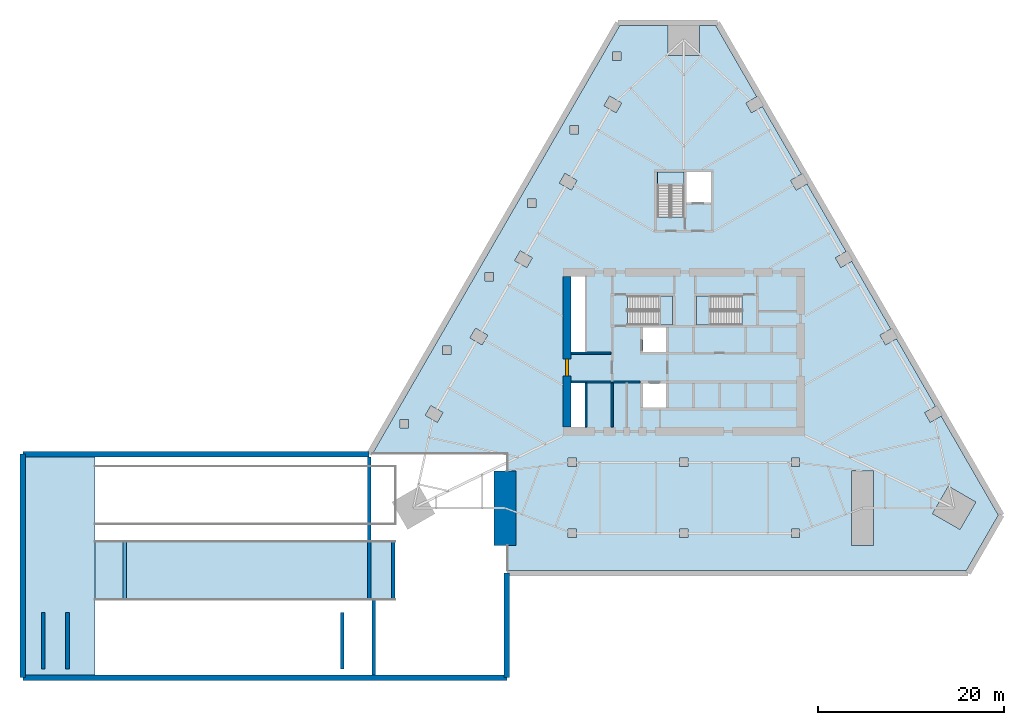
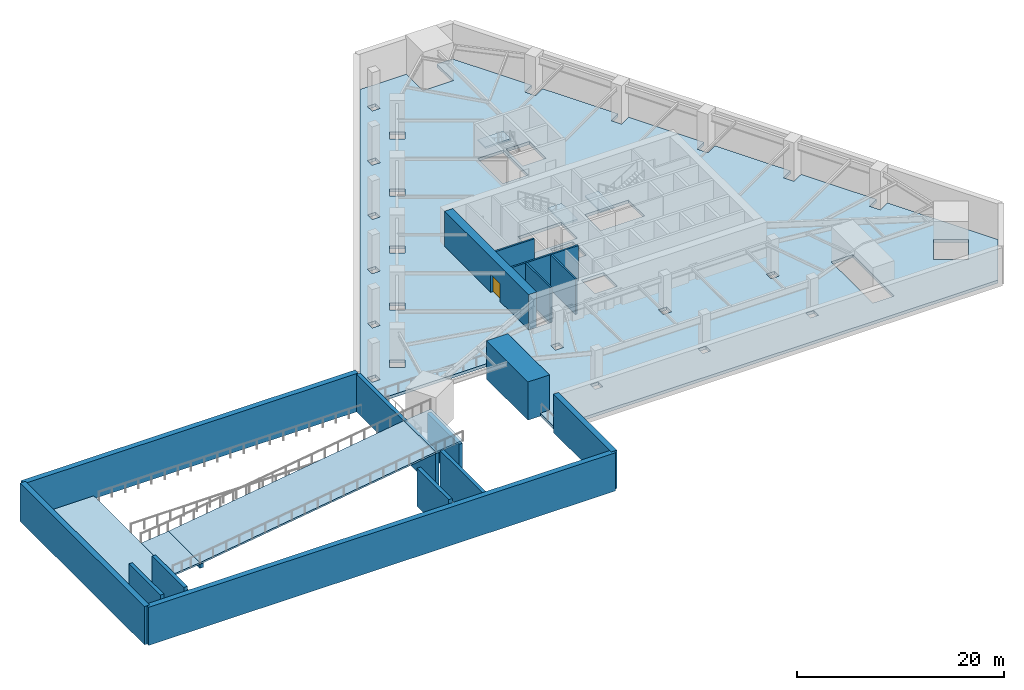
# One storey, part 2 of 7: 18 walls, 8 slabs, 1 door, 1 opening, 3 elements without a shape of their own.
"""IFC4 building model written with IfcOpenShell, lengths in metres."""

from ifc_helpers import new_model, si_unit, direction, frame, frame_2d, origin, place, context, subcontext, project, spatial, polyline, rectangle, outline, extrude, material, layer, layer_set, type_object, element, fill, aggregate, save


model = new_model("IFC4")

# Units and contexts
model_context = context("Model", 3, precision=1e-05, world=origin(), true_north=direction((0.0, 1.0)))
body_context = subcontext(model_context, "Body", "Model", "MODEL_VIEW")
ifc_project = project(units=[si_unit("LENGTHUNIT", "METRE"), si_unit("AREAUNIT", "SQUARE_METRE"), si_unit("VOLUMEUNIT", "CUBIC_METRE"), si_unit("PLANEANGLEUNIT", "RADIAN"), si_unit("MASSUNIT", "GRAM", prefix="KILO")], contexts=[model_context])

# Site, building, storey
site_placement = place(None, origin())
site = spatial("IfcSite", under=ifc_project, at=site_placement, CompositionType="ELEMENT")
building_placement = place(site_placement, origin())
building = spatial("IfcBuilding", under=site, at=building_placement, Name="Firuza Gate Tower and Library", CompositionType="ELEMENT")
storey_placement = place(building_placement, frame((0.0, 0.0, -9.5)))
storey = spatial("IfcBuildingStorey", under=building, at=storey_placement, Name="B2", CompositionType="ELEMENT", Elevation=-9.5)

# Slabs
ifc_material_1 = material(Name="Concrete C40/50", Category="concrete")
ifc_layer_1 = layer(ifc_material_1, 0.35009765625)
ifc_layer_set_1 = layer_set([ifc_layer_1], Name="Basement slab 350 C40/50")
slab_type_1 = type_object("IfcSlabType", Name="Basement slab 350 C40/50", PredefinedType="FLOOR", material=ifc_layer_set_1)
placement_1 = place(storey_placement, frame((0.0, 0.0, -0.35009765625)))
element("IfcSlab", 1, at=placement_1, inside=storey, type_object=slab_type_1, Name="Floor slab B2", PredefinedType="FLOOR", context=body_context, shape_type="SweptSolid", body=[
    extrude(outline(polyline([(68.109130859375, 110.033935546875), (41.531494140625, 64.0), (56.0, 64.0), (56.0, 62.21533203125), (57.0, 62.21533203125), (57.0, 54.21533203125), (56.0, 54.21533203125), (56.0, 51.515380859375), (105.35888671875, 51.515380859375), (108.78564453125, 57.45068359375), (102.64013671875, 68.094970703125), (101.470947265625, 67.419921875), (100.87109375, 68.459228515625), (102.040283203125, 69.13427734375), (97.840087890625, 76.408935546875), (96.671142578125, 75.73388671875), (96.071044921875, 76.773193359375), (97.240234375, 77.447998046875), (93.040283203125, 84.72265625), (91.87109375, 84.047607421875), (91.27099609375, 85.0869140625), (92.440185546875, 85.761962890625), (88.240234375, 93.03662109375), (87.071044921875, 92.361572265625), (86.470947265625, 93.40087890625), (87.64013671875, 94.07568359375), (83.440185546875, 101.350341796875), (82.27099609375, 100.67529296875), (81.671142578125, 101.714599609375), (82.840087890625, 102.3896484375), (78.4267578125, 110.033935546875), (76.699951171875, 110.033935546875), (76.699951171875, 106.833740234375), (73.300048828125, 106.833740234375), (73.300048828125, 110.033935546875), (68.109130859375, 110.033935546875)]), holes=[polyline([(62.550048828125, 55.0654296875), (62.550048828125, 55.96533203125), (63.449951171875, 55.96533203125), (63.449951171875, 55.0654296875), (62.550048828125, 55.0654296875)]), polyline([(62.550048828125, 62.665283203125), (62.550048828125, 63.5654296875), (63.449951171875, 63.5654296875), (63.449951171875, 62.665283203125), (62.550048828125, 62.665283203125)]), polyline([(44.5302734375, 66.82373046875), (44.5302734375, 67.7236328125), (45.430419921875, 67.7236328125), (45.430419921875, 66.82373046875), (44.5302734375, 66.82373046875)]), polyline([(49.12890625, 68.459228515625), (48.529052734375, 67.419921875), (47.22998046875, 68.169921875), (47.829833984375, 69.209228515625), (49.12890625, 68.459228515625)]), polyline([(62.89990234375, 66.89990234375), (62.89990234375, 71.64990234375), (64.39990234375, 71.64990234375), (64.39990234375, 66.89990234375), (62.89990234375, 66.89990234375)]), polyline([(49.08984375, 74.720947265625), (49.08984375, 75.620849609375), (49.98974609375, 75.620849609375), (49.98974609375, 74.720947265625), (49.08984375, 74.720947265625)]), polyline([(52.6298828125, 77.523193359375), (53.928955078125, 76.773193359375), (53.328857421875, 75.73388671875), (52.02978515625, 76.48388671875), (52.6298828125, 77.523193359375)]), polyline([(64.39990234375, 74.949951171875), (62.89990234375, 74.949951171875), (62.89990234375, 83.10009765625), (64.39990234375, 83.10009765625), (64.39990234375, 74.949951171875)]), polyline([(53.6494140625, 82.6181640625), (53.6494140625, 83.518310546875), (54.54931640625, 83.518310546875), (54.54931640625, 82.6181640625), (53.6494140625, 82.6181640625)]), polyline([(57.429931640625, 85.8369140625), (58.72900390625, 85.0869140625), (58.12890625, 84.047607421875), (56.829833984375, 84.797607421875), (57.429931640625, 85.8369140625)]), polyline([(58.208984375, 90.515625), (58.208984375, 91.41552734375), (59.10888671875, 91.41552734375), (59.10888671875, 90.515625), (58.208984375, 90.515625)]), polyline([(62.22998046875, 94.15087890625), (63.529052734375, 93.40087890625), (62.928955078125, 92.361572265625), (61.6298828125, 93.111572265625), (62.22998046875, 94.15087890625)]), polyline([(62.768310546875, 99.31298828125), (63.66845703125, 99.31298828125), (63.66845703125, 98.412841796875), (62.768310546875, 98.412841796875), (62.768310546875, 99.31298828125)]), polyline([(68.328857421875, 101.714599609375), (67.72900390625, 100.67529296875), (66.429931640625, 101.42529296875), (67.02978515625, 102.464599609375), (68.328857421875, 101.714599609375)]), polyline([(67.327880859375, 106.310302734375), (67.327880859375, 107.210205078125), (68.227783203125, 107.210205078125), (68.227783203125, 106.310302734375), (67.327880859375, 106.310302734375)]), polyline([(74.550048828125, 55.0654296875), (74.550048828125, 55.96533203125), (75.449951171875, 55.96533203125), (75.449951171875, 55.0654296875), (74.550048828125, 55.0654296875)]), polyline([(86.550048828125, 55.0654296875), (86.550048828125, 55.96533203125), (87.449951171875, 55.96533203125), (87.449951171875, 55.0654296875), (86.550048828125, 55.0654296875)]), polyline([(93.0, 62.21533203125), (95.39990234375, 62.21533203125), (95.39990234375, 54.21533203125), (93.0, 54.21533203125), (93.0, 62.21533203125)]), polyline([(104.663330078125, 55.910888671875), (101.718994140625, 57.61083984375), (103.4189453125, 60.555419921875), (106.36328125, 58.855224609375), (104.663330078125, 55.910888671875)]), polyline([(74.550048828125, 62.665283203125), (74.550048828125, 63.5654296875), (75.449951171875, 63.5654296875), (75.449951171875, 62.665283203125), (74.550048828125, 62.665283203125)]), polyline([(86.550048828125, 62.665283203125), (86.550048828125, 63.5654296875), (87.449951171875, 63.5654296875), (87.449951171875, 62.665283203125), (86.550048828125, 62.665283203125)]), polyline([(70.60009765625, 69.0), (70.60009765625, 71.60009765625), (73.10009765625, 71.60009765625), (73.10009765625, 69.0), (70.60009765625, 69.0)]), polyline([(73.10009765625, 75.0), (70.60009765625, 75.0), (70.60009765625, 77.60009765625), (73.10009765625, 77.60009765625), (73.10009765625, 75.0)]), polyline([(81.259521484375, 77.89990234375), (76.389892578125, 77.89990234375), (76.389892578125, 80.97998046875), (81.259521484375, 80.97998046875), (81.259521484375, 77.89990234375)]), polyline([(68.9404296875, 77.89990234375), (68.9404296875, 80.97998046875), (73.81005859375, 80.97998046875), (73.81005859375, 77.89990234375), (68.9404296875, 77.89990234375)]), polyline([(72.159912109375, 89.470458984375), (72.159912109375, 94.300048828125), (75.0, 94.300048828125), (75.0, 89.470458984375), (72.159912109375, 89.470458984375)]), polyline([(77.89990234375, 91.050048828125), (75.300048828125, 91.050048828125), (75.300048828125, 94.300048828125), (77.89990234375, 94.300048828125), (77.89990234375, 91.050048828125)])]), origin(), (0.0, 0.0, 1.0), 0.35009765625),
])
ifc_material_2 = material(Name="Concrete C40/50", Category="concrete")
ifc_layer_2 = layer(ifc_material_2, 0.199951171875)
ifc_layer_set_2 = layer_set([ifc_layer_2], Name="Car park ramp slab 200 C40/50")
slab_type_2 = type_object("IfcSlabType", Name="Car park ramp slab 200 C40/50", PredefinedType="USERDEFINED", material=ifc_layer_set_2)
slab_2_placement = place(storey_placement, frame((44.0, 51.5, 3.966796875), z_axis=(0.0, 0.0, 1.0), x_axis=(-1.0, 0.0, 0.0)))
element("IfcSlab", 2, at=slab_2_placement, inside=storey, type_object=slab_type_2, Name="Car park ramp 2 slab 1", ObjectType="RAMP SLAB", PredefinedType="USERDEFINED", context=body_context, shape_type="SweptSolid", body=[
    extrude(outline(polyline([(0.0, 0.533203125), (3.0, 0.199951171875), (3.0, 0.0), (0.0, 0.333251953125), (0.0, 0.533203125)])), frame((0.0, 3.050048828125, 0.0), z_axis=(0.0, -1.0, 0.0), x_axis=(1.0, 0.0, 0.0)), (0.0, 0.0, 1.0), 6.10009765625),
])
slab_3_placement = place(storey_placement, frame((41.0, 51.5, 0.13330078125), z_axis=(0.0, 0.0, 1.0), x_axis=(-1.0, 0.0, 0.0)))
element("IfcSlab", 3, at=slab_3_placement, inside=storey, type_object=slab_type_2, Name="Car park ramp 2 slab 2", ObjectType="RAMP SLAB", PredefinedType="USERDEFINED", context=body_context, shape_type="SweptSolid", body=[
    extrude(outline(polyline([(0.0, 4.033447265625), (26.25, 0.199951171875), (26.25, 0.0), (0.0, 3.83349609375), (0.0, 4.033447265625)])), frame((0.0, 3.050048828125, 0.0), z_axis=(0.0, -1.0, 0.0), x_axis=(1.0, 0.0, 0.0)), (0.0, 0.0, 1.0), 6.10009765625),
])
slab_4_placement = place(storey_placement, frame((14.75, 51.5, -0.199951171875), z_axis=(0.0, 0.0, 1.0), x_axis=(-1.0, 0.0, 0.0)))
element("IfcSlab", 4, at=slab_4_placement, inside=storey, type_object=slab_type_2, Name="Car park ramp 2 slab 3", ObjectType="RAMP SLAB", PredefinedType="USERDEFINED", context=body_context, shape_type="SweptSolid", body=[
    extrude(outline(polyline([(0.0, 0.533203125), (3.0, 0.199951171875), (3.0, 0.0), (0.0, 0.333251953125), (0.0, 0.533203125)])), frame((0.0, 3.050048828125, 0.0), z_axis=(0.0, -1.0, 0.0), x_axis=(1.0, 0.0, 0.0)), (0.0, 0.0, 1.0), 6.10009765625),
])
ifc_material_3 = material(Name="Concrete C40/50", Category="concrete")
ifc_layer_3 = layer(ifc_material_3, 0.35009765625)
ifc_layer_set_3 = layer_set([ifc_layer_3], Name="Ramp landing slab")
slab_type_3 = type_object("IfcSlabType", Name="Ramp landing slab", PredefinedType="LANDING", material=ifc_layer_set_3)
element("IfcSlab", 5, at=placement_1, inside=storey, type_object=slab_type_3, Name="Ramp landing B2", PredefinedType="LANDING", context=body_context, shape_type="SweptSolid", body=[
    extrude(outline(polyline([(4.300048828125, 40.300048828125), (4.300048828125, 63.699951171875), (11.75, 63.699951171875), (11.75, 40.300048828125), (4.300048828125, 40.300048828125)]), holes=[polyline([(6.39990234375, 40.89990234375), (6.39990234375, 47.0), (6.0, 47.0), (6.0, 40.89990234375), (6.39990234375, 40.89990234375)]), polyline([(9.0, 40.89990234375), (9.0, 47.0), (8.60009765625, 47.0), (8.60009765625, 40.89990234375), (9.0, 40.89990234375)])]), origin(), (0.0, 0.0, 1.0), 0.35009765625),
])

# Stair, slab
ifc_material_4 = material(Name="Concrete C35/45", Category="concrete")
stair_type_1 = type_object("IfcStairType", Name="Exit stair ST1", PredefinedType="HALF_TURN_STAIR", material=ifc_material_4)
placement_2 = place(storey_placement, origin())
stair_1 = element("IfcStair", 6, at=placement_2, inside=storey, type_object=stair_type_1, Name="B2 Stair ST1", PredefinedType="HALF_TURN_STAIR")
ifc_material_5 = material(Name="Concrete C35/45", Category="concrete")
ifc_layer_4 = layer(ifc_material_5, 0.199951171875)
ifc_layer_set_4 = layer_set([ifc_layer_4], Name="Stair landing 200")
slab_type_4 = type_object("IfcSlabType", Name="Stair landing 200", PredefinedType="LANDING", material=ifc_layer_set_4)
placement_3 = place(storey_placement, frame((0.0, 0.0, 2.050048828125)))
slab_6 = element("IfcSlab", 7, at=placement_3, type_object=slab_type_4, Name="ST1 landing 1", PredefinedType="LANDING", context=body_context, shape_type="SweptSolid", body=[
    extrude(outline(polyline([(72.300048828125, 77.89990234375), (73.81005859375, 77.89990234375), (73.81005859375, 80.97998046875), (72.300048828125, 80.97998046875), (72.300048828125, 77.89990234375)])), origin(), (0.0, 0.0, 1.0), 0.199951171875),
])
aggregate(stair_1, [slab_6])

stair_2 = element("IfcStair", 8, at=placement_2, inside=storey, type_object=stair_type_1, Name="B2 Stair ST2", PredefinedType="HALF_TURN_STAIR")
slab_7 = element("IfcSlab", 9, at=placement_3, type_object=slab_type_4, Name="ST2 landing 1", PredefinedType="LANDING", context=body_context, shape_type="SweptSolid", body=[
    extrude(outline(polyline([(77.89990234375, 80.97998046875), (76.389892578125, 80.97998046875), (76.389892578125, 77.89990234375), (77.89990234375, 77.89990234375), (77.89990234375, 80.97998046875)])), origin(), (0.0, 0.0, 1.0), 0.199951171875),
])
aggregate(stair_2, [slab_7])

ifc_material_6 = material(Name="Concrete C35/45", Category="concrete")
stair_type_2 = type_object("IfcStairType", Name="Exit stair ST10", PredefinedType="HALF_TURN_STAIR", material=ifc_material_6)
stair_3 = element("IfcStair", 10, at=placement_2, inside=storey, type_object=stair_type_2, Name="B2 Stair ST3", PredefinedType="HALF_TURN_STAIR")
slab_8 = element("IfcSlab", 11, at=placement_3, type_object=slab_type_4, Name="ST3 landing 1", PredefinedType="LANDING", context=body_context, shape_type="SweptSolid", body=[
    extrude(outline(polyline([(75.0, 92.830078125), (75.0, 94.300048828125), (72.159912109375, 94.300048828125), (72.159912109375, 92.830078125), (75.0, 92.830078125)])), origin(), (0.0, 0.0, 1.0), 0.199951171875),
])
aggregate(stair_3, [slab_8])

# Walls
ifc_material_7 = material(Name="Plasterboard on steel studs", Category="steel")
ifc_layer_5 = layer(ifc_material_7, 0.199951171875)
ifc_layer_set_5 = layer_set([ifc_layer_5], Name="Core partition 200 EI 120")
wall_type_1 = type_object("IfcWallType", Name="Core partition 200 EI 120", PredefinedType="PARTITIONING", material=ifc_layer_set_5)
wall_1_placement = place(storey_placement, frame((62.89990234375, 71.75, 0.0), z_axis=(0.0, 0.0, 1.0), x_axis=(1.0, 0.0, 0.0)))
element("IfcWall", 12, at=wall_1_placement, inside=storey, type_object=wall_type_1, Name="Core partition B2 1", PredefinedType="PARTITIONING", context=body_context, shape_type="SweptSolid", body=[
    extrude(rectangle(XDim=7.400146484375, YDim=0.199951171875, at=frame_2d((3.7001953125, 0.0))), origin(), (0.0, 0.0, 1.0), 4.14990234375),
])
wall_2_placement = place(storey_placement, frame((62.89990234375, 74.85009765625, 0.0), z_axis=(0.0, 0.0, 1.0), x_axis=(1.0, 0.0, 0.0)))
element("IfcWall", 13, at=wall_2_placement, inside=storey, type_object=wall_type_1, Name="Core partition B2 2", PredefinedType="PARTITIONING", context=body_context, shape_type="SweptSolid", body=[
    extrude(rectangle(XDim=4.300048828125, YDim=0.199951171875, at=frame_2d((2.14990234375, 0.0))), origin(), (0.0, 0.0, 1.0), 4.14990234375),
])
for number, where, z_axis, x_axis, name in (
    (14, (64.5, 66.89990234375, 0.0), (0.0, 0.0, 1.0), (0.0, 1.0, 0.0), "Core partition B2 5"),
    (15, (67.300048828125, 66.89990234375, 0.0), (0.0, 0.0, 1.0), (0.0, 1.0, 0.0), "Core partition B2 7"),
):
    element("IfcWall", number, at=place(storey_placement, frame(where, z_axis=z_axis, x_axis=x_axis)), inside=storey, type_object=wall_type_1, Name=name, PredefinedType="PARTITIONING", context=body_context, shape_type="SweptSolid", body=[
        extrude(rectangle(XDim=4.75, YDim=0.199951171875, at=frame_2d((2.375, 0.0))), origin(), (0.0, 0.0, 1.0), 4.14990234375),
    ])

# Wall, opening, door
ifc_material_8 = material(Name="Concrete C80/95", Category="concrete")
ifc_layer_6 = layer(ifc_material_8, 0.89990234375)
ifc_layer_set_6 = layer_set([ifc_layer_6], Name="Core wall 900 C80/95")
wall_type_2 = type_object("IfcWallType", Name="Core wall 900 C80/95", PredefinedType="SHEAR", material=ifc_layer_set_6)
wall_3_placement = place(storey_placement, frame((62.449951171875, 66.89990234375, 0.0), z_axis=(0.0, 0.0, 1.0), x_axis=(0.0, 1.0, 0.0)))
wall_3 = element("IfcWall", 16, at=wall_3_placement, inside=storey, type_object=wall_type_2, Name="Core wall B2 3", PredefinedType="SHEAR", context=body_context, shape_type="SweptSolid", body=[
    extrude(rectangle(XDim=16.2001953125, YDim=0.89990234375, at=frame_2d((8.10009765625, 0.0))), origin(), (0.0, 0.0, 1.0), 4.14990234375),
])
opening_placement = place(wall_3_placement, frame((5.5, 0.0, 0.0)))
opening = element("IfcOpeningElement", 17, at=opening_placement, cuts=wall_3, Name="Opening B2-K14", PredefinedType="OPENING", context=body_context, shape_type="SweptSolid", body=[
    extrude(rectangle(XDim=1.800048828125, YDim=2.10009765625, at=frame_2d((0.89990234375, 1.050048828125))), frame((0.0, 0.4599609375, 0.0), z_axis=(0.0, -1.0, 0.0), x_axis=(1.0, 0.0, 0.0)), (0.0, 0.0, 1.0), 0.919921875),
])
ifc_material_9 = material(Name="Steel", Category="steel")
door_type = type_object("IfcDoorType", Name="Fire door 1800x2100 FD30S", OperationType="NOTDEFINED", PredefinedType="DOOR", material=ifc_material_9)
door_placement = place(opening_placement, origin())
door = element("IfcDoor", 18, at=door_placement, inside=storey, type_object=door_type, Name="Door B2-K14", OperationType="SINGLE_SWING_LEFT", OverallHeight=2.10009765625, OverallWidth=1.800048828125, PredefinedType="DOOR", context=body_context, shape_type="SweptSolid", body=[
    extrude(rectangle(XDim=1.800048828125, YDim=2.10009765625, at=frame_2d((0.89990234375, 1.050048828125))), frame((0.0, 0.169921875, 0.0), z_axis=(0.0, -1.0, 0.0), x_axis=(1.0, 0.0, 0.0)), (0.0, 0.0, 1.0), 0.33984375),
])
fill(opening, door)

# Walls
ifc_material_10 = material(Name="Concrete C80/95", Category="concrete")
ifc_layer_7 = layer(ifc_material_10, 2.39990234375)
ifc_layer_set_7 = layer_set([ifc_layer_7], Name="Iwan wall 2400 C80/95")
wall_type_3 = type_object("IfcWallType", Name="Iwan wall 2400 C80/95", PredefinedType="SHEAR", material=ifc_layer_set_7)
wall_4_placement = place(storey_placement, frame((55.800048828125, 54.21533203125, -0.35009765625), z_axis=(0.0, 0.0, 1.0), x_axis=(0.0, 1.0, 0.0)))
element("IfcWall", 19, at=wall_4_placement, inside=storey, type_object=wall_type_3, Name="Iwan wall W B2", PredefinedType="SHEAR", context=body_context, shape_type="SweptSolid", body=[
    extrude(rectangle(XDim=8.0, YDim=2.39990234375, at=frame_2d((4.0, 0.0))), origin(), (0.0, 0.0, 1.0), 4.5),
])
ifc_material_11 = material(Name="Concrete C40/50", Category="concrete")
ifc_layer_8 = layer(ifc_material_11, 0.39990234375)
ifc_layer_set_8 = layer_set([ifc_layer_8], Name="Ramp pit wall 400 C40/50")
wall_type_4 = type_object("IfcWallType", Name="Ramp pit wall 400 C40/50", PredefinedType="SOLIDWALL", material=ifc_layer_set_8)
wall_5_placement = place(storey_placement, frame((41.199951171875, 54.550048828125, -0.35009765625), z_axis=(0.0, 0.0, 1.0), x_axis=(0.0, 1.0, 0.0)))
element("IfcWall", 20, at=wall_5_placement, inside=storey, type_object=wall_type_4, Name="Ramp pit wall B2", PredefinedType="SOLIDWALL", context=body_context, shape_type="SweptSolid", body=[
    extrude(rectangle(XDim=9.14990234375, YDim=0.39990234375, at=frame_2d((4.574951171875, 0.0))), origin(), (0.0, 0.0, 1.0), 4.419189453125),
])
ifc_material_12 = material(Name="Concrete C40/50", Category="concrete")
ifc_layer_9 = layer(ifc_material_12, 0.39990234375)
ifc_layer_set_9 = layer_set([ifc_layer_9], Name="Ramp support wall 400")
wall_type_5 = type_object("IfcWallType", Name="Ramp support wall 400", PredefinedType="SOLIDWALL", material=ifc_layer_set_9)
for number, where, z_axis, x_axis, name in (
    (21, (8.800048828125, 40.89990234375, -0.35009765625), (0.0, 0.0, 1.0), (0.0, 1.0, 0.0), "Ramp support wall R1:J1 B2"),
    (22, (38.300048828125, 40.89990234375, -0.35009765625), (0.0, 0.0, 1.0), (0.0, 1.0, 0.0), "Ramp support wall R1:J2 B2"),
):
    element("IfcWall", number, at=place(storey_placement, frame(where, z_axis=z_axis, x_axis=x_axis)), inside=storey, type_object=wall_type_5, Name=name, PredefinedType="SOLIDWALL", context=body_context, shape_type="SweptSolid", body=[
        extrude(rectangle(XDim=6.10009765625, YDim=0.39990234375, at=frame_2d((3.050048828125, 0.0))), origin(), (0.0, 0.0, 1.0), 4.5),
    ])
wall_6_placement = place(storey_placement, frame((6.0, 43.949951171875, -0.35009765625), z_axis=(0.0, 0.0, 1.0), x_axis=(1.0, 0.0, 0.0)))
element("IfcWall", 23, at=wall_6_placement, inside=storey, type_object=wall_type_5, Name="Ramp support wall R1:H B2", PredefinedType="SOLIDWALL", context=body_context, shape_type="SweptSolid", body=[
    extrude(rectangle(XDim=0.39990234375, YDim=6.10009765625, at=frame_2d((0.199951171875, 0.0))), origin(), (0.0, 0.0, 1.0), 4.5),
])
wall_7_placement = place(storey_placement, frame((41.199951171875, 48.449951171875, -0.35009765625), z_axis=(0.0, 0.0, 1.0), x_axis=(0.0, 1.0, 0.0)))
element("IfcWall", 24, at=wall_7_placement, inside=storey, type_object=wall_type_5, Name="Ramp support wall R2:J1 B2", PredefinedType="SOLIDWALL", context=body_context, shape_type="SweptSolid", body=[
    extrude(rectangle(XDim=6.10009765625, YDim=0.39990234375, at=frame_2d((3.050048828125, 0.0))), origin(), (0.0, 0.0, 1.0), 4.31689453125),
])
wall_8_placement = place(storey_placement, frame((14.949951171875, 48.449951171875, -0.35009765625), z_axis=(0.0, 0.0, 1.0), x_axis=(0.0, 1.0, 0.0)))
element("IfcWall", 25, at=wall_8_placement, inside=storey, type_object=wall_type_5, Name="Ramp support wall R2:J2 B2", PredefinedType="SOLIDWALL", context=body_context, shape_type="SweptSolid", body=[
    extrude(rectangle(XDim=6.10009765625, YDim=0.39990234375, at=frame_2d((3.050048828125, 0.0))), origin(), (0.0, 0.0, 1.0), 0.4833984375),
])
wall_9_placement = place(storey_placement, frame((43.60009765625, 51.5, -0.35009765625), z_axis=(0.0, 0.0, 1.0), x_axis=(1.0, 0.0, 0.0)))
element("IfcWall", 26, at=wall_9_placement, inside=storey, type_object=wall_type_5, Name="Ramp support wall R2:H B2", PredefinedType="SOLIDWALL", context=body_context, shape_type="SweptSolid", body=[
    extrude(rectangle(XDim=0.39990234375, YDim=6.10009765625, at=frame_2d((0.199951171875, 0.0))), origin(), (0.0, 0.0, 1.0), 4.5),
])
wall_10_placement = place(storey_placement, frame((41.699951171875, 40.300048828125, -0.35009765625), z_axis=(0.0, 0.0, 1.0), x_axis=(0.0, 1.0, 0.0)))
element("IfcWall", 27, at=wall_10_placement, inside=storey, type_object=wall_type_5, Name="Ramp support wall L1 B2", PredefinedType="SOLIDWALL", context=body_context, shape_type="SweptSolid", body=[
    extrude(rectangle(XDim=8.14990234375, YDim=0.39990234375, at=frame_2d((4.074951171875, 0.0))), origin(), (0.0, 0.0, 1.0), 4.5),
])
ifc_material_13 = material(Name="Concrete C40/50", Category="concrete")
ifc_layer_10 = layer(ifc_material_13, 0.60009765625)
ifc_layer_set_10 = layer_set([ifc_layer_10], Name="Retaining wall 600 C40/50")
wall_type_6 = type_object("IfcWallType", Name="Retaining wall 600 C40/50", PredefinedType="SOLIDWALL", material=ifc_layer_set_10)
wall_11_placement = place(storey_placement, frame((41.18505859375, 64.0, -0.35009765625), z_axis=(0.0, 0.0, 1.0), x_axis=(-1.0, 0.0, 0.0)))
element("IfcWall", 28, at=wall_11_placement, inside=storey, type_object=wall_type_6, Name="Retaining wall B2 6", PredefinedType="SOLIDWALL", context=body_context, shape_type="SweptSolid", body=[
    extrude(rectangle(XDim=37.18505859375, YDim=0.60009765625, at=frame_2d((18.592529296875, 0.0))), origin(), (0.0, 0.0, 1.0), 4.5),
])
wall_12_placement = place(storey_placement, frame((4.0, 64.0, -0.35009765625), z_axis=(0.0, 0.0, 1.0), x_axis=(0.0, -1.0, 0.0)))
element("IfcWall", 29, at=wall_12_placement, inside=storey, type_object=wall_type_6, Name="Retaining wall B2 7", PredefinedType="SOLIDWALL", context=body_context, shape_type="SweptSolid", body=[
    extrude(rectangle(XDim=24.0, YDim=0.60009765625, at=frame_2d((12.0, 0.0))), origin(), (0.0, 0.0, 1.0), 4.5),
])
wall_13_placement = place(storey_placement, frame((4.0, 40.0, -0.35009765625), z_axis=(0.0, 0.0, 1.0), x_axis=(1.0, 0.0, 0.0)))
element("IfcWall", 30, at=wall_13_placement, inside=storey, type_object=wall_type_6, Name="Retaining wall B2 8", PredefinedType="SOLIDWALL", context=body_context, shape_type="SweptSolid", body=[
    extrude(rectangle(XDim=52.0, YDim=0.60009765625, at=frame_2d((26.0, 0.0))), origin(), (0.0, 0.0, 1.0), 4.5),
])
wall_14_placement = place(storey_placement, frame((56.0, 40.0, -0.35009765625), z_axis=(0.0, 0.0, 1.0), x_axis=(0.0, 1.0, 0.0)))
element("IfcWall", 31, at=wall_14_placement, inside=storey, type_object=wall_type_6, Name="Retaining wall B2 9", PredefinedType="SOLIDWALL", context=body_context, shape_type="SweptSolid", body=[
    extrude(rectangle(XDim=11.21533203125, YDim=0.60009765625, at=frame_2d((5.607666015625, 0.0))), origin(), (0.0, 0.0, 1.0), 4.5),
])

save(model, "model.ifc")
